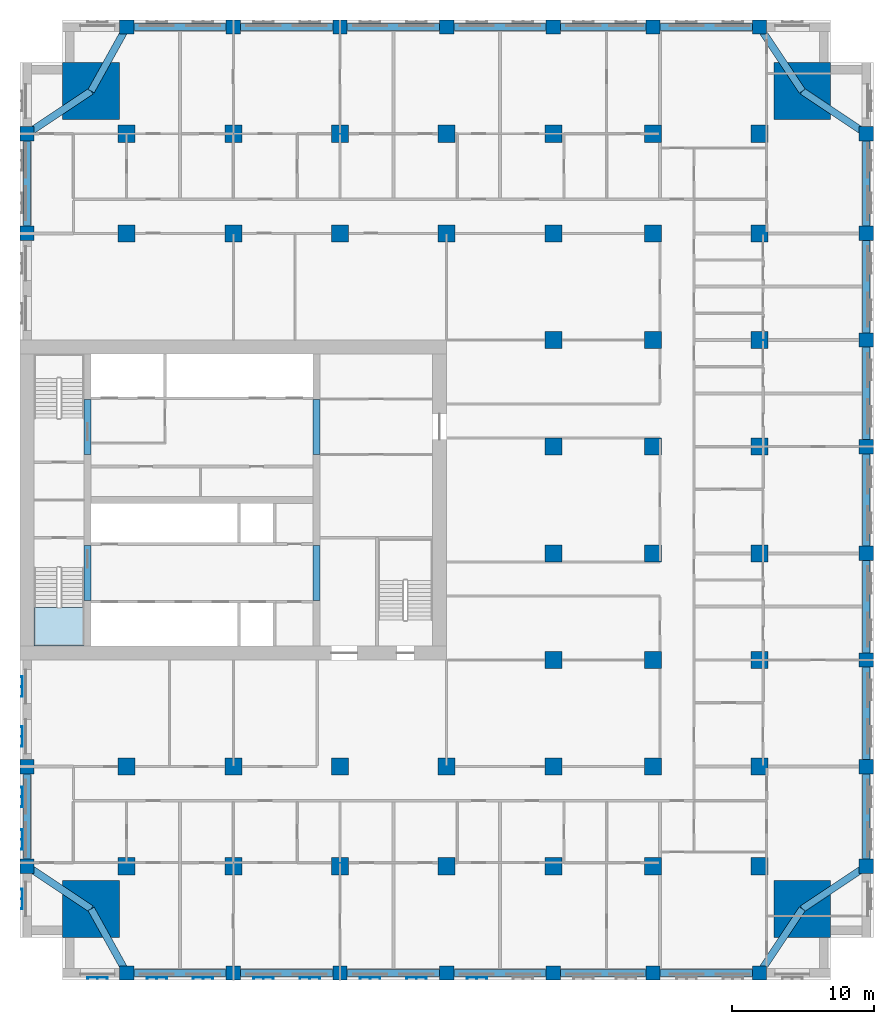
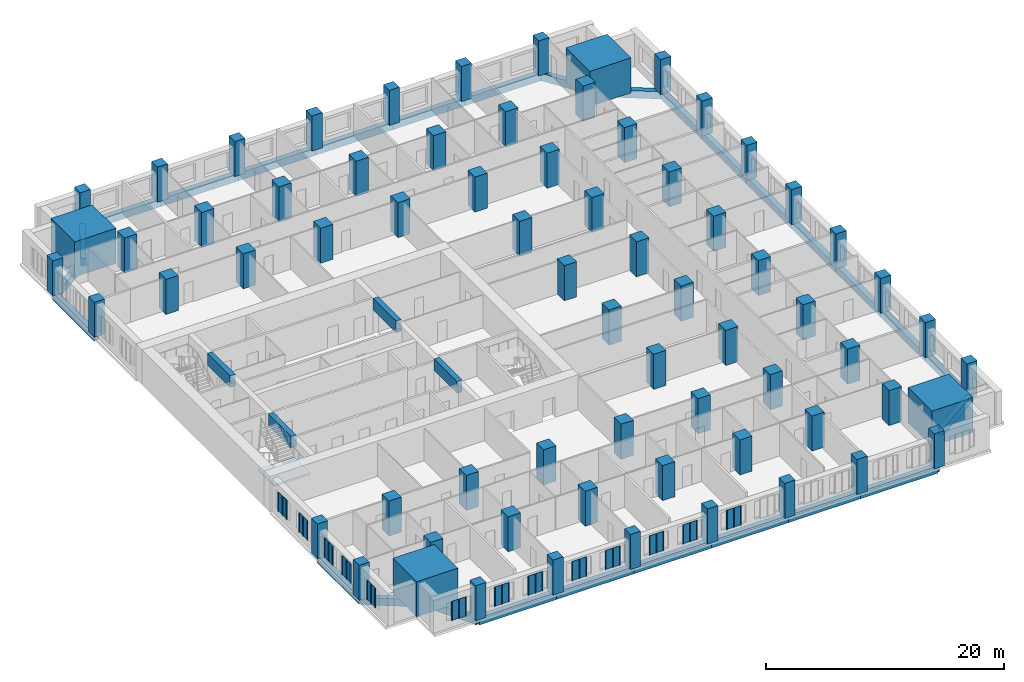
# One storey, part 1 of 14: 70 columns, 33 beams, 13 plates, 1 slab, 1 element without a shape of its own.
"""IFC4 building model written with IfcOpenShell, lengths in metres."""

from ifc_helpers import new_model, si_unit, direction, frame, origin, origin_2d, place, context, subcontext, project, spatial, polyline, rectangle, outline, extrude, material, layer, layer_set, material_profile, profile_set, type_object, element, aggregate, save


model = new_model("IFC4")

# Units and contexts
model_context = context("Model", 3, precision=1e-05, world=origin(), true_north=direction((0.0, 1.0)))
body_context = subcontext(model_context, "Body", "Model", "MODEL_VIEW")
ifc_project = project(units=[si_unit("LENGTHUNIT", "METRE"), si_unit("AREAUNIT", "SQUARE_METRE"), si_unit("VOLUMEUNIT", "CUBIC_METRE"), si_unit("PLANEANGLEUNIT", "RADIAN"), si_unit("MASSUNIT", "GRAM", prefix="KILO")], contexts=[model_context])

# Site, building, storey
site_placement = place(None, origin())
site = spatial("IfcSite", under=ifc_project, at=site_placement, CompositionType="ELEMENT")
building_placement = place(site_placement, origin())
building = spatial("IfcBuilding", under=site, at=building_placement, Name="Tamorin Gate", CompositionType="ELEMENT")
storey_placement = place(building_placement, frame((0.0, 0.0, 55.60009765625)))
storey = spatial("IfcBuildingStorey", under=building, at=storey_placement, Name="L12", CompositionType="ELEMENT", Elevation=55.60009765625)

# Columns
ifc_material_1 = material(Name="Concrete C80/95", Category="concrete")
ifc_material_profile_1 = material_profile(ifc_material_1, rectangle(XDim=1.0, YDim=1.0, at=origin_2d()), Name="RC 1000x1000")
ifc_profile_set_1 = profile_set([ifc_material_profile_1], Name="Concrete C80/95")
column_type_1 = type_object("IfcColumnType", Name="RC column 1000x1000 C80/95", PredefinedType="COLUMN", material=ifc_profile_set_1)
for number, where, z_axis, x_axis, name in (
    (1, (30.5, 45.5, 0.0), (0.0, 0.0, 1.0), (1.0, 0.0, 0.0), "Ring column L12"),
    (2, (30.5, 52.5, 0.0), (0.0, 0.0, 1.0), (1.0, 0.0, 0.0), "Ring column L12"),
    (3, (30.5, 90.0, 0.0), (0.0, 0.0, 1.0), (1.0, 0.0, 0.0), "Ring column L12"),
    (4, (30.5, 97.0, 0.0), (0.0, 0.0, 1.0), (1.0, 0.0, 0.0), "Ring column L12"),
    (5, (37.5, 38.0, 0.0), (0.0, 0.0, 1.0), (1.0, 0.0, 0.0), "Ring column L12"),
    (6, (37.5, 104.5, 0.0), (0.0, 0.0, 1.0), (1.0, 0.0, 0.0), "Ring column L12"),
    (7, (45.0, 38.0, 0.0), (0.0, 0.0, 1.0), (1.0, 0.0, 0.0), "Ring column L12"),
    (8, (45.0, 104.5, 0.0), (0.0, 0.0, 1.0), (1.0, 0.0, 0.0), "Ring column L12"),
    (9, (52.5, 38.0, 0.0), (0.0, 0.0, 1.0), (1.0, 0.0, 0.0), "Ring column L12"),
    (10, (52.5, 104.5, 0.0), (0.0, 0.0, 1.0), (1.0, 0.0, 0.0), "Ring column L12"),
    (11, (60.0, 38.0, 0.0), (0.0, 0.0, 1.0), (1.0, 0.0, 0.0), "Ring column L12"),
    (12, (60.0, 104.5, 0.0), (0.0, 0.0, 1.0), (1.0, 0.0, 0.0), "Ring column L12"),
    (13, (67.5, 38.0, 0.0), (0.0, 0.0, 1.0), (1.0, 0.0, 0.0), "Ring column L12"),
    (14, (67.5, 104.5, 0.0), (0.0, 0.0, 1.0), (1.0, 0.0, 0.0), "Ring column L12"),
    (15, (74.5, 38.0, 0.0), (0.0, 0.0, 1.0), (1.0, 0.0, 0.0), "Ring column L12"),
    (16, (74.5, 104.5, 0.0), (0.0, 0.0, 1.0), (1.0, 0.0, 0.0), "Ring column L12"),
    (17, (82.0, 38.0, 0.0), (0.0, 0.0, 1.0), (1.0, 0.0, 0.0), "Ring column L12"),
    (18, (82.0, 104.5, 0.0), (0.0, 0.0, 1.0), (1.0, 0.0, 0.0), "Ring column L12"),
    (19, (89.5, 45.5, 0.0), (0.0, 0.0, 1.0), (1.0, 0.0, 0.0), "Ring column L12"),
    (20, (89.5, 52.5, 0.0), (0.0, 0.0, 1.0), (1.0, 0.0, 0.0), "Ring column L12"),
    (21, (89.5, 60.0, 0.0), (0.0, 0.0, 1.0), (1.0, 0.0, 0.0), "Ring column L12"),
    (22, (89.5, 67.5, 0.0), (0.0, 0.0, 1.0), (1.0, 0.0, 0.0), "Ring column L12"),
    (23, (89.5, 75.0, 0.0), (0.0, 0.0, 1.0), (1.0, 0.0, 0.0), "Ring column L12"),
    (24, (89.5, 82.5, 0.0), (0.0, 0.0, 1.0), (1.0, 0.0, 0.0), "Ring column L12"),
    (25, (89.5, 90.0, 0.0), (0.0, 0.0, 1.0), (1.0, 0.0, 0.0), "Ring column L12"),
    (26, (89.5, 97.0, 0.0), (0.0, 0.0, 1.0), (1.0, 0.0, 0.0), "Ring column L12"),
):
    element("IfcColumn", number, at=place(storey_placement, frame(where, z_axis=z_axis, x_axis=x_axis)), inside=storey, type_object=column_type_1, Name=name, PredefinedType="COLUMN", context=body_context, shape_type="SweptSolid", body=[
        extrude(rectangle(XDim=1.0, YDim=1.0, at=origin_2d()), origin(), (0.0, 0.0, 1.0), 3.599853515625),
    ])
ifc_material_profile_2 = material_profile(ifc_material_1, rectangle(XDim=1.199951171875, YDim=1.199951171875, at=origin_2d()), Name="RC 1200x1200")
ifc_profile_set_2 = profile_set([ifc_material_profile_2], Name="Concrete C80/95")
column_type_2 = type_object("IfcColumnType", Name="RC column 1200x1200 C80/95", PredefinedType="COLUMN", material=ifc_profile_set_2)
for number, where, z_axis, x_axis, name in (
    (27, (37.5, 45.5, 0.0), (0.0, 0.0, 1.0), (1.0, 0.0, 0.0), "Interior column L12"),
    (28, (37.5, 52.5, 0.0), (0.0, 0.0, 1.0), (1.0, 0.0, 0.0), "Interior column L12"),
    (29, (37.5, 90.0, 0.0), (0.0, 0.0, 1.0), (1.0, 0.0, 0.0), "Interior column L12"),
    (30, (37.5, 97.0, 0.0), (0.0, 0.0, 1.0), (1.0, 0.0, 0.0), "Interior column L12"),
    (31, (45.0, 45.5, 0.0), (0.0, 0.0, 1.0), (1.0, 0.0, 0.0), "Interior column L12"),
    (32, (45.0, 52.5, 0.0), (0.0, 0.0, 1.0), (1.0, 0.0, 0.0), "Interior column L12"),
    (33, (45.0, 90.0, 0.0), (0.0, 0.0, 1.0), (1.0, 0.0, 0.0), "Interior column L12"),
    (34, (45.0, 97.0, 0.0), (0.0, 0.0, 1.0), (1.0, 0.0, 0.0), "Interior column L12"),
    (35, (52.5, 45.5, 0.0), (0.0, 0.0, 1.0), (1.0, 0.0, 0.0), "Interior column L12"),
    (36, (52.5, 52.5, 0.0), (0.0, 0.0, 1.0), (1.0, 0.0, 0.0), "Interior column L12"),
    (37, (52.5, 90.0, 0.0), (0.0, 0.0, 1.0), (1.0, 0.0, 0.0), "Interior column L12"),
    (38, (52.5, 97.0, 0.0), (0.0, 0.0, 1.0), (1.0, 0.0, 0.0), "Interior column L12"),
    (39, (60.0, 45.5, 0.0), (0.0, 0.0, 1.0), (1.0, 0.0, 0.0), "Interior column L12"),
    (40, (60.0, 52.5, 0.0), (0.0, 0.0, 1.0), (1.0, 0.0, 0.0), "Interior column L12"),
    (41, (60.0, 90.0, 0.0), (0.0, 0.0, 1.0), (1.0, 0.0, 0.0), "Interior column L12"),
    (42, (60.0, 97.0, 0.0), (0.0, 0.0, 1.0), (1.0, 0.0, 0.0), "Interior column L12"),
    (43, (67.5, 45.5, 0.0), (0.0, 0.0, 1.0), (1.0, 0.0, 0.0), "Interior column L12"),
    (44, (67.5, 52.5, 0.0), (0.0, 0.0, 1.0), (1.0, 0.0, 0.0), "Interior column L12"),
    (45, (67.5, 60.0, 0.0), (0.0, 0.0, 1.0), (1.0, 0.0, 0.0), "Interior column L12"),
    (46, (67.5, 67.5, 0.0), (0.0, 0.0, 1.0), (1.0, 0.0, 0.0), "Interior column L12"),
    (47, (67.5, 75.0, 0.0), (0.0, 0.0, 1.0), (1.0, 0.0, 0.0), "Interior column L12"),
    (48, (67.5, 82.5, 0.0), (0.0, 0.0, 1.0), (1.0, 0.0, 0.0), "Interior column L12"),
    (49, (67.5, 90.0, 0.0), (0.0, 0.0, 1.0), (1.0, 0.0, 0.0), "Interior column L12"),
    (50, (67.5, 97.0, 0.0), (0.0, 0.0, 1.0), (1.0, 0.0, 0.0), "Interior column L12"),
    (51, (74.5, 45.5, 0.0), (0.0, 0.0, 1.0), (1.0, 0.0, 0.0), "Interior column L12"),
    (52, (74.5, 52.5, 0.0), (0.0, 0.0, 1.0), (1.0, 0.0, 0.0), "Interior column L12"),
    (53, (74.5, 60.0, 0.0), (0.0, 0.0, 1.0), (1.0, 0.0, 0.0), "Interior column L12"),
    (54, (74.5, 67.5, 0.0), (0.0, 0.0, 1.0), (1.0, 0.0, 0.0), "Interior column L12"),
    (55, (74.5, 75.0, 0.0), (0.0, 0.0, 1.0), (1.0, 0.0, 0.0), "Interior column L12"),
    (56, (74.5, 82.5, 0.0), (0.0, 0.0, 1.0), (1.0, 0.0, 0.0), "Interior column L12"),
    (57, (74.5, 90.0, 0.0), (0.0, 0.0, 1.0), (1.0, 0.0, 0.0), "Interior column L12"),
    (58, (74.5, 97.0, 0.0), (0.0, 0.0, 1.0), (1.0, 0.0, 0.0), "Interior column L12"),
    (59, (82.0, 45.5, 0.0), (0.0, 0.0, 1.0), (1.0, 0.0, 0.0), "Interior column L12"),
    (60, (82.0, 52.5, 0.0), (0.0, 0.0, 1.0), (1.0, 0.0, 0.0), "Interior column L12"),
    (61, (82.0, 60.0, 0.0), (0.0, 0.0, 1.0), (1.0, 0.0, 0.0), "Interior column L12"),
    (62, (82.0, 67.5, 0.0), (0.0, 0.0, 1.0), (1.0, 0.0, 0.0), "Interior column L12"),
    (63, (82.0, 75.0, 0.0), (0.0, 0.0, 1.0), (1.0, 0.0, 0.0), "Interior column L12"),
    (64, (82.0, 82.5, 0.0), (0.0, 0.0, 1.0), (1.0, 0.0, 0.0), "Interior column L12"),
    (65, (82.0, 90.0, 0.0), (0.0, 0.0, 1.0), (1.0, 0.0, 0.0), "Interior column L12"),
    (66, (82.0, 97.0, 0.0), (0.0, 0.0, 1.0), (1.0, 0.0, 0.0), "Interior column L12"),
):
    element("IfcColumn", number, at=place(storey_placement, frame(where, z_axis=z_axis, x_axis=x_axis)), inside=storey, type_object=column_type_2, Name=name, PredefinedType="COLUMN", context=body_context, shape_type="SweptSolid", body=[
        extrude(rectangle(XDim=1.199951171875, YDim=1.199951171875, at=origin_2d()), origin(), (0.0, 0.0, 1.0), 3.599853515625),
    ])
ifc_material_profile_3 = material_profile(ifc_material_1, rectangle(XDim=4.0, YDim=4.0, at=origin_2d()), Name="RC 4000x4000")
ifc_profile_set_3 = profile_set([ifc_material_profile_3], Name="Concrete C80/95")
column_type_3 = type_object("IfcColumnType", Name="RC column 4000x4000 C80/95", PredefinedType="COLUMN", material=ifc_profile_set_3)
for number, where, z_axis, x_axis, name in (
    (67, (35.0, 42.5, 0.0), (0.0, 0.0, 1.0), (1.0, 0.0, 0.0), "Mega column SW L12"),
    (68, (85.0, 42.5, 0.0), (0.0, 0.0, 1.0), (1.0, 0.0, 0.0), "Mega column SE L12"),
    (69, (35.0, 100.0, 0.0), (0.0, 0.0, 1.0), (1.0, 0.0, 0.0), "Mega column NW L12"),
    (70, (85.0, 100.0, 0.0), (0.0, 0.0, 1.0), (1.0, 0.0, 0.0), "Mega column NE L12"),
):
    element("IfcColumn", number, at=place(storey_placement, frame(where, z_axis=z_axis, x_axis=x_axis)), inside=storey, type_object=column_type_3, Name=name, PredefinedType="COLUMN", context=body_context, shape_type="SweptSolid", body=[
        extrude(rectangle(XDim=4.0, YDim=4.0, at=origin_2d()), origin(), (0.0, 0.0, 1.0), 3.599853515625),
    ])

# Beams
ifc_material_profile_4 = material_profile(ifc_material_1, rectangle(XDim=0.5, YDim=1.199951171875, at=origin_2d()), Name="RC 500x1200")
ifc_profile_set_4 = profile_set([ifc_material_profile_4], Name="Concrete C80/95")
beam_type_1 = type_object("IfcBeamType", Name="RC coupling beam 500x1200 C80/95", PredefinedType="BEAM", material=ifc_profile_set_4)
for number, where, z_axis, x_axis, name in (
    (71, (34.75, 64.199951171875, 3.0), (0.0, 1.0, 0.0), (-1.0, 0.0, 0.0), "Coupling beam L12"),
    (72, (34.75, 74.449951171875, 3.0), (0.0, 1.0, 0.0), (-1.0, 0.0, 0.0), "Coupling beam L12"),
    (73, (50.85009765625, 64.199951171875, 3.0), (0.0, 1.0, 0.0), (-1.0, 0.0, 0.0), "Coupling beam L12"),
    (74, (50.85009765625, 74.449951171875, 3.0), (0.0, 1.0, 0.0), (-1.0, 0.0, 0.0), "Coupling beam L12"),
):
    element("IfcBeam", number, at=place(storey_placement, frame(where, z_axis=z_axis, x_axis=x_axis)), inside=storey, type_object=beam_type_1, Name=name, PredefinedType="BEAM", context=body_context, shape_type="SweptSolid", body=[
        extrude(rectangle(XDim=0.5, YDim=1.199951171875, at=origin_2d()), origin(), (0.0, 0.0, 1.0), 3.85009765625),
    ])
ifc_material_2 = material(Name="Concrete C50/60", Category="concrete")
ifc_material_profile_5 = material_profile(ifc_material_2, rectangle(XDim=0.5, YDim=0.75, at=origin_2d()), Name="RC 500x750")
ifc_profile_set_5 = profile_set([ifc_material_profile_5], Name="Concrete C50/60")
beam_type_2 = type_object("IfcBeamType", Name="RC spandrel 500x750 C50/60", PredefinedType="BEAM", material=ifc_profile_set_5)
for number, where, z_axis, x_axis, name in (
    (75, (37.5, 38.0, -0.375), (1.0, 0.0, 0.0), (0.0, 1.0, 0.0), "Spandrel beam L12"),
    (76, (45.0, 38.0, -0.375), (1.0, 0.0, 0.0), (0.0, 1.0, 0.0), "Spandrel beam L12"),
    (77, (52.5, 38.0, -0.375), (1.0, 0.0, 0.0), (0.0, 1.0, 0.0), "Spandrel beam L12"),
    (78, (60.0, 38.0, -0.375), (1.0, 0.0, 0.0), (0.0, 1.0, 0.0), "Spandrel beam L12"),
):
    element("IfcBeam", number, at=place(storey_placement, frame(where, z_axis=z_axis, x_axis=x_axis)), inside=storey, type_object=beam_type_2, Name=name, PredefinedType="BEAM", context=body_context, shape_type="SweptSolid", body=[
        extrude(rectangle(XDim=0.5, YDim=0.75, at=origin_2d()), origin(), (0.0, 0.0, 1.0), 7.5),
    ])
beam_1_placement = place(storey_placement, frame((67.5, 38.0, -0.375), z_axis=(1.0, 0.0, 0.0), x_axis=(0.0, 1.0, 0.0)))
element("IfcBeam", 79, at=beam_1_placement, inside=storey, type_object=beam_type_2, Name="Spandrel beam L12", PredefinedType="BEAM", context=body_context, shape_type="SweptSolid", body=[
    extrude(rectangle(XDim=0.5, YDim=0.75, at=origin_2d()), origin(), (0.0, 0.0, 1.0), 7.0),
])
beam_2_placement = place(storey_placement, frame((74.5, 38.0, -0.375), z_axis=(1.0, 0.0, 0.0), x_axis=(0.0, 1.0, 0.0)))
element("IfcBeam", 80, at=beam_2_placement, inside=storey, type_object=beam_type_2, Name="Spandrel beam L12", PredefinedType="BEAM", context=body_context, shape_type="SweptSolid", body=[
    extrude(rectangle(XDim=0.5, YDim=0.75, at=origin_2d()), origin(), (0.0, 0.0, 1.0), 7.5),
])
beam_3_placement = place(storey_placement, frame((89.5, 45.5, -0.375), z_axis=(0.0, 1.0, 0.0), x_axis=(-1.0, 0.0, 0.0)))
element("IfcBeam", 81, at=beam_3_placement, inside=storey, type_object=beam_type_2, Name="Spandrel beam L12", PredefinedType="BEAM", context=body_context, shape_type="SweptSolid", body=[
    extrude(rectangle(XDim=0.5, YDim=0.75, at=origin_2d()), origin(), (0.0, 0.0, 1.0), 7.0),
])
for number, where, z_axis, x_axis, name in (
    (82, (89.5, 52.5, -0.375), (0.0, 1.0, 0.0), (-1.0, 0.0, 0.0), "Spandrel beam L12"),
    (83, (89.5, 60.0, -0.375), (0.0, 1.0, 0.0), (-1.0, 0.0, 0.0), "Spandrel beam L12"),
    (84, (89.5, 67.5, -0.375), (0.0, 1.0, 0.0), (-1.0, 0.0, 0.0), "Spandrel beam L12"),
    (85, (89.5, 75.0, -0.375), (0.0, 1.0, 0.0), (-1.0, 0.0, 0.0), "Spandrel beam L12"),
    (86, (89.5, 82.5, -0.375), (0.0, 1.0, 0.0), (-1.0, 0.0, 0.0), "Spandrel beam L12"),
):
    element("IfcBeam", number, at=place(storey_placement, frame(where, z_axis=z_axis, x_axis=x_axis)), inside=storey, type_object=beam_type_2, Name=name, PredefinedType="BEAM", context=body_context, shape_type="SweptSolid", body=[
        extrude(rectangle(XDim=0.5, YDim=0.75, at=origin_2d()), origin(), (0.0, 0.0, 1.0), 7.5),
    ])
beam_4_placement = place(storey_placement, frame((89.5, 90.0, -0.375), z_axis=(0.0, 1.0, 0.0), x_axis=(-1.0, 0.0, 0.0)))
element("IfcBeam", 87, at=beam_4_placement, inside=storey, type_object=beam_type_2, Name="Spandrel beam L12", PredefinedType="BEAM", context=body_context, shape_type="SweptSolid", body=[
    extrude(rectangle(XDim=0.5, YDim=0.75, at=origin_2d()), origin(), (0.0, 0.0, 1.0), 7.0),
])
beam_5_placement = place(storey_placement, frame((82.0, 104.5, -0.375), z_axis=(-1.0, 0.0, 0.0), x_axis=(0.0, -1.0, 0.0)))
element("IfcBeam", 88, at=beam_5_placement, inside=storey, type_object=beam_type_2, Name="Spandrel beam L12", PredefinedType="BEAM", context=body_context, shape_type="SweptSolid", body=[
    extrude(rectangle(XDim=0.5, YDim=0.75, at=origin_2d()), origin(), (0.0, 0.0, 1.0), 7.5),
])
beam_6_placement = place(storey_placement, frame((74.5, 104.5, -0.375), z_axis=(-1.0, 0.0, 0.0), x_axis=(0.0, -1.0, 0.0)))
element("IfcBeam", 89, at=beam_6_placement, inside=storey, type_object=beam_type_2, Name="Spandrel beam L12", PredefinedType="BEAM", context=body_context, shape_type="SweptSolid", body=[
    extrude(rectangle(XDim=0.5, YDim=0.75, at=origin_2d()), origin(), (0.0, 0.0, 1.0), 7.0),
])
for number, where, z_axis, x_axis, name in (
    (90, (67.5, 104.5, -0.375), (-1.0, 0.0, 0.0), (0.0, -1.0, 0.0), "Spandrel beam L12"),
    (91, (60.0, 104.5, -0.375), (-1.0, 0.0, 0.0), (0.0, -1.0, 0.0), "Spandrel beam L12"),
    (92, (52.5, 104.5, -0.375), (-1.0, 0.0, 0.0), (0.0, -1.0, 0.0), "Spandrel beam L12"),
    (93, (45.0, 104.5, -0.375), (-1.0, 0.0, 0.0), (0.0, -1.0, 0.0), "Spandrel beam L12"),
):
    element("IfcBeam", number, at=place(storey_placement, frame(where, z_axis=z_axis, x_axis=x_axis)), inside=storey, type_object=beam_type_2, Name=name, PredefinedType="BEAM", context=body_context, shape_type="SweptSolid", body=[
        extrude(rectangle(XDim=0.5, YDim=0.75, at=origin_2d()), origin(), (0.0, 0.0, 1.0), 7.5),
    ])
for number, where, z_axis, x_axis, name in (
    (94, (30.5, 97.0, -0.375), (0.0, -1.0, 0.0), (1.0, 0.0, 0.0), "Spandrel beam L12"),
    (95, (30.5, 52.5, -0.375), (0.0, -1.0, 0.0), (1.0, 0.0, 0.0), "Spandrel beam L12"),
):
    element("IfcBeam", number, at=place(storey_placement, frame(where, z_axis=z_axis, x_axis=x_axis)), inside=storey, type_object=beam_type_2, Name=name, PredefinedType="BEAM", context=body_context, shape_type="SweptSolid", body=[
        extrude(rectangle(XDim=0.5, YDim=0.75, at=origin_2d()), origin(), (0.0, 0.0, 1.0), 7.0),
    ])
beam_7_placement = place(storey_placement, frame((35.0, 42.5, -0.375), z_axis=(0.485642931179, -0.874157276122, 0.0), x_axis=(0.874157276122, 0.485642931179, 0.0)))
element("IfcBeam", 96, at=beam_7_placement, inside=storey, type_object=beam_type_2, Name="Corner tie beam L12", PredefinedType="BEAM", context=body_context, shape_type="SweptSolid", body=[
    extrude(rectangle(XDim=0.5, YDim=0.75, at=origin_2d()), origin(), (0.0, 0.0, 1.0), 5.147705078125),
])
for number, where, z_axis, x_axis, name in (
    (97, (35.0, 42.5, -0.375), (-0.832050294338, 0.554700196225, 0.0), (-0.554700196225, -0.832050294338, 0.0), "Corner tie beam L12"),
    (98, (85.0, 42.5, -0.375), (-0.554700196225, -0.832050294338, 0.0), (0.832050294338, -0.554700196225, 0.0), "Corner tie beam L12"),
    (99, (85.0, 42.5, -0.375), (0.832050294338, 0.554700196225, 0.0), (-0.554700196225, 0.832050294338, 0.0), "Corner tie beam L12"),
):
    element("IfcBeam", number, at=place(storey_placement, frame(where, z_axis=z_axis, x_axis=x_axis)), inside=storey, type_object=beam_type_2, Name=name, PredefinedType="BEAM", context=body_context, shape_type="SweptSolid", body=[
        extrude(rectangle(XDim=0.5, YDim=0.75, at=origin_2d()), origin(), (0.0, 0.0, 1.0), 5.408447265625),
    ])
beam_8_placement = place(storey_placement, frame((35.0, 100.0, -0.375), z_axis=(0.485642931179, 0.874157276122, 0.0), x_axis=(-0.874157276122, 0.485642931179, 0.0)))
element("IfcBeam", 100, at=beam_8_placement, inside=storey, type_object=beam_type_2, Name="Corner tie beam L12", PredefinedType="BEAM", context=body_context, shape_type="SweptSolid", body=[
    extrude(rectangle(XDim=0.5, YDim=0.75, at=origin_2d()), origin(), (0.0, 0.0, 1.0), 5.147705078125),
])
for number, where, z_axis, x_axis, name in (
    (101, (35.0, 100.0, -0.375), (-0.832050294338, -0.554700196225, 0.0), (0.554700196225, -0.832050294338, 0.0), "Corner tie beam L12"),
    (102, (85.0, 100.0, -0.375), (-0.554700196225, 0.832050294338, 0.0), (-0.832050294338, -0.554700196225, 0.0), "Corner tie beam L12"),
    (103, (85.0, 100.0, -0.375), (0.832050294338, -0.554700196225, 0.0), (0.554700196225, 0.832050294338, 0.0), "Corner tie beam L12"),
):
    element("IfcBeam", number, at=place(storey_placement, frame(where, z_axis=z_axis, x_axis=x_axis)), inside=storey, type_object=beam_type_2, Name=name, PredefinedType="BEAM", context=body_context, shape_type="SweptSolid", body=[
        extrude(rectangle(XDim=0.5, YDim=0.75, at=origin_2d()), origin(), (0.0, 0.0, 1.0), 5.408447265625),
    ])

# Stair, slab
ifc_material_3 = material(Name="Concrete C40/50", Category="concrete")
stair_type = type_object("IfcStairType", Name="Exit stair", PredefinedType="HALF_TURN_STAIR", material=ifc_material_3)
stair_placement = place(storey_placement, origin())
stair = element("IfcStair", 104, at=stair_placement, inside=storey, type_object=stair_type, Name="L12 stair ST1", PredefinedType="HALF_TURN_STAIR")
ifc_layer_1 = layer(ifc_material_3, 0.199951171875)
ifc_layer_set_1 = layer_set([ifc_layer_1], Name="Exit stair landing 200")
slab_type = type_object("IfcSlabType", Name="Exit stair landing 200", PredefinedType="LANDING", material=ifc_layer_set_1)
slab_placement = place(storey_placement, frame((0.0, 0.0, 1.599853515625)))
slab = element("IfcSlab", 105, at=slab_placement, type_object=slab_type, Name="ST1 landing 1", PredefinedType="LANDING", context=body_context, shape_type="SweptSolid", body=[
    extrude(outline(polyline([(31.0, 63.699951171875), (31.0, 61.0), (34.5, 61.0), (34.5, 63.699951171875), (31.0, 63.699951171875)])), origin(), (0.0, 0.0, 1.0), 0.199951171875),
])
aggregate(stair, [slab])

# Plates
ifc_material_4 = material(Name="Perforated pale aluminium sheet", Category="aluminium")
ifc_layer_2 = layer(ifc_material_4, 0.0400390625)
ifc_layer_set_2 = layer_set([ifc_layer_2], Name="Pale metal solar screen 1440")
plate_type = type_object("IfcPlateType", Name="Pale metal solar screen 1440", PredefinedType="SHEET", material=ifc_layer_set_2)
plate_1_placement = place(storey_placement, frame((0.0, 0.0, 0.7099609375)))
element("IfcPlate", 106, at=plate_1_placement, inside=storey, type_object=plate_type, Name="Perforated solar screen", PredefinedType="SHEET", context=body_context, shape_type="SweptSolid", body=[
    extrude(outline(polyline([(34.72998046875, 37.659912109375), (34.72998046875, 37.699951171875), (34.7900390625, 37.699951171875), (35.419921875, 37.699951171875), (35.47998046875, 37.699951171875), (36.110107421875, 37.699951171875), (36.169921875, 37.699951171875), (36.169921875, 37.659912109375), (36.169921875, 37.60009765625), (36.110107421875, 37.60009765625), (36.110107421875, 37.659912109375), (35.47998046875, 37.659912109375), (35.47998046875, 37.60009765625), (35.419921875, 37.60009765625), (35.419921875, 37.659912109375), (34.7900390625, 37.659912109375), (34.7900390625, 37.60009765625), (34.72998046875, 37.60009765625), (34.72998046875, 37.659912109375)])), origin(), (0.0, 0.0, 1.0), 1.97998046875),
])
plate_2_placement = place(storey_placement, frame((0.0, 0.0, 0.7099609375)))
element("IfcPlate", 107, at=plate_2_placement, inside=storey, type_object=plate_type, Name="Perforated solar screen", PredefinedType="SHEET", context=body_context, shape_type="SweptSolid", body=[
    extrude(outline(polyline([(38.905029296875, 37.659912109375), (38.905029296875, 37.699951171875), (38.965087890625, 37.699951171875), (39.594970703125, 37.699951171875), (39.655029296875, 37.699951171875), (40.284912109375, 37.699951171875), (40.344970703125, 37.699951171875), (40.344970703125, 37.699951171875), (40.344970703125, 37.659912109375), (40.344970703125, 37.659912109375), (40.344970703125, 37.60009765625), (40.284912109375, 37.60009765625), (40.284912109375, 37.659912109375), (39.655029296875, 37.659912109375), (39.655029296875, 37.60009765625), (39.594970703125, 37.60009765625), (39.594970703125, 37.659912109375), (38.965087890625, 37.659912109375), (38.965087890625, 37.60009765625), (38.905029296875, 37.60009765625), (38.905029296875, 37.659912109375)])), origin(), (0.0, 0.0, 1.0), 1.97998046875),
])
plate_3_placement = place(storey_placement, frame((0.0, 0.0, 0.7099609375)))
element("IfcPlate", 108, at=plate_3_placement, inside=storey, type_object=plate_type, Name="Perforated solar screen", PredefinedType="SHEET", context=body_context, shape_type="SweptSolid", body=[
    extrude(outline(polyline([(42.155029296875, 37.659912109375), (42.155029296875, 37.699951171875), (42.215087890625, 37.699951171875), (42.844970703125, 37.699951171875), (42.905029296875, 37.699951171875), (43.534912109375, 37.699951171875), (43.594970703125, 37.699951171875), (43.594970703125, 37.659912109375), (43.594970703125, 37.60009765625), (43.534912109375, 37.60009765625), (43.534912109375, 37.659912109375), (42.905029296875, 37.659912109375), (42.905029296875, 37.60009765625), (42.844970703125, 37.60009765625), (42.844970703125, 37.659912109375), (42.215087890625, 37.659912109375), (42.215087890625, 37.60009765625), (42.155029296875, 37.60009765625), (42.155029296875, 37.659912109375)])), origin(), (0.0, 0.0, 1.0), 1.97998046875),
])
plate_4_placement = place(storey_placement, frame((0.0, 0.0, 0.7099609375)))
element("IfcPlate", 109, at=plate_4_placement, inside=storey, type_object=plate_type, Name="Perforated solar screen", PredefinedType="SHEET", context=body_context, shape_type="SweptSolid", body=[
    extrude(outline(polyline([(46.405029296875, 37.659912109375), (46.405029296875, 37.699951171875), (46.465087890625, 37.699951171875), (47.094970703125, 37.699951171875), (47.155029296875, 37.699951171875), (47.784912109375, 37.699951171875), (47.844970703125, 37.699951171875), (47.844970703125, 37.659912109375), (47.844970703125, 37.60009765625), (47.784912109375, 37.60009765625), (47.784912109375, 37.659912109375), (47.155029296875, 37.659912109375), (47.155029296875, 37.60009765625), (47.094970703125, 37.60009765625), (47.094970703125, 37.659912109375), (46.465087890625, 37.659912109375), (46.465087890625, 37.60009765625), (46.405029296875, 37.60009765625), (46.405029296875, 37.659912109375)])), origin(), (0.0, 0.0, 1.0), 1.97998046875),
])
plate_5_placement = place(storey_placement, frame((0.0, 0.0, 0.7099609375)))
element("IfcPlate", 110, at=plate_5_placement, inside=storey, type_object=plate_type, Name="Perforated solar screen", PredefinedType="SHEET", context=body_context, shape_type="SweptSolid", body=[
    extrude(outline(polyline([(49.655029296875, 37.659912109375), (49.655029296875, 37.699951171875), (49.715087890625, 37.699951171875), (50.344970703125, 37.699951171875), (50.405029296875, 37.699951171875), (51.034912109375, 37.699951171875), (51.094970703125, 37.699951171875), (51.094970703125, 37.659912109375), (51.094970703125, 37.60009765625), (51.034912109375, 37.60009765625), (51.034912109375, 37.659912109375), (50.405029296875, 37.659912109375), (50.405029296875, 37.60009765625), (50.344970703125, 37.60009765625), (50.344970703125, 37.659912109375), (49.715087890625, 37.659912109375), (49.715087890625, 37.60009765625), (49.655029296875, 37.60009765625), (49.655029296875, 37.659912109375)])), origin(), (0.0, 0.0, 1.0), 1.97998046875),
])
plate_6_placement = place(storey_placement, frame((0.0, 0.0, 0.7099609375)))
element("IfcPlate", 111, at=plate_6_placement, inside=storey, type_object=plate_type, Name="Perforated solar screen", PredefinedType="SHEET", context=body_context, shape_type="SweptSolid", body=[
    extrude(outline(polyline([(53.905029296875, 37.659912109375), (53.905029296875, 37.699951171875), (53.965087890625, 37.699951171875), (54.594970703125, 37.699951171875), (54.655029296875, 37.699951171875), (55.284912109375, 37.699951171875), (55.344970703125, 37.699951171875), (55.344970703125, 37.659912109375), (55.344970703125, 37.60009765625), (55.284912109375, 37.60009765625), (55.284912109375, 37.659912109375), (54.655029296875, 37.659912109375), (54.655029296875, 37.60009765625), (54.594970703125, 37.60009765625), (54.594970703125, 37.659912109375), (53.965087890625, 37.659912109375), (53.965087890625, 37.60009765625), (53.905029296875, 37.60009765625), (53.905029296875, 37.659912109375)])), origin(), (0.0, 0.0, 1.0), 1.97998046875),
])
plate_7_placement = place(storey_placement, frame((0.0, 0.0, 0.7099609375)))
element("IfcPlate", 112, at=plate_7_placement, inside=storey, type_object=plate_type, Name="Perforated solar screen", PredefinedType="SHEET", context=body_context, shape_type="SweptSolid", body=[
    extrude(outline(polyline([(57.155029296875, 37.659912109375), (57.155029296875, 37.699951171875), (57.215087890625, 37.699951171875), (57.844970703125, 37.699951171875), (57.905029296875, 37.699951171875), (58.534912109375, 37.699951171875), (58.594970703125, 37.699951171875), (58.594970703125, 37.659912109375), (58.594970703125, 37.60009765625), (58.534912109375, 37.60009765625), (58.534912109375, 37.659912109375), (57.905029296875, 37.659912109375), (57.905029296875, 37.60009765625), (57.844970703125, 37.60009765625), (57.844970703125, 37.659912109375), (57.215087890625, 37.659912109375), (57.215087890625, 37.60009765625), (57.155029296875, 37.60009765625), (57.155029296875, 37.659912109375)])), origin(), (0.0, 0.0, 1.0), 1.97998046875),
])
plate_8_placement = place(storey_placement, frame((0.0, 0.0, 0.7099609375)))
element("IfcPlate", 113, at=plate_8_placement, inside=storey, type_object=plate_type, Name="Perforated solar screen", PredefinedType="SHEET", context=body_context, shape_type="SweptSolid", body=[
    extrude(outline(polyline([(61.405029296875, 37.659912109375), (61.405029296875, 37.699951171875), (61.465087890625, 37.699951171875), (62.094970703125, 37.699951171875), (62.155029296875, 37.699951171875), (62.784912109375, 37.699951171875), (62.844970703125, 37.699951171875), (62.844970703125, 37.659912109375), (62.844970703125, 37.60009765625), (62.784912109375, 37.60009765625), (62.784912109375, 37.659912109375), (62.155029296875, 37.659912109375), (62.155029296875, 37.60009765625), (62.094970703125, 37.60009765625), (62.094970703125, 37.659912109375), (61.465087890625, 37.659912109375), (61.465087890625, 37.60009765625), (61.405029296875, 37.60009765625), (61.405029296875, 37.659912109375)])), origin(), (0.0, 0.0, 1.0), 1.97998046875),
])
plate_9_placement = place(storey_placement, frame((0.0, 0.0, 0.7099609375)))
element("IfcPlate", 114, at=plate_9_placement, inside=storey, type_object=plate_type, Name="Perforated solar screen", PredefinedType="SHEET", context=body_context, shape_type="SweptSolid", body=[
    extrude(outline(polyline([(30.159912109375, 55.344970703125), (30.199951171875, 55.344970703125), (30.199951171875, 55.284912109375), (30.199951171875, 54.655029296875), (30.199951171875, 54.594970703125), (30.199951171875, 53.965087890625), (30.199951171875, 53.905029296875), (30.159912109375, 53.905029296875), (30.10009765625, 53.905029296875), (30.10009765625, 53.965087890625), (30.159912109375, 53.965087890625), (30.159912109375, 54.594970703125), (30.10009765625, 54.594970703125), (30.10009765625, 54.655029296875), (30.159912109375, 54.655029296875), (30.159912109375, 55.284912109375), (30.10009765625, 55.284912109375), (30.10009765625, 55.344970703125), (30.159912109375, 55.344970703125)])), origin(), (0.0, 0.0, 1.0), 1.97998046875),
])
plate_10_placement = place(storey_placement, frame((0.0, 0.0, 0.7099609375)))
element("IfcPlate", 115, at=plate_10_placement, inside=storey, type_object=plate_type, Name="Perforated solar screen", PredefinedType="SHEET", context=body_context, shape_type="SweptSolid", body=[
    extrude(outline(polyline([(30.159912109375, 58.844970703125), (30.199951171875, 58.844970703125), (30.199951171875, 58.784912109375), (30.199951171875, 58.155029296875), (30.199951171875, 58.094970703125), (30.199951171875, 57.465087890625), (30.199951171875, 57.405029296875), (30.159912109375, 57.405029296875), (30.10009765625, 57.405029296875), (30.10009765625, 57.465087890625), (30.159912109375, 57.465087890625), (30.159912109375, 58.094970703125), (30.10009765625, 58.094970703125), (30.10009765625, 58.155029296875), (30.159912109375, 58.155029296875), (30.159912109375, 58.784912109375), (30.10009765625, 58.784912109375), (30.10009765625, 58.844970703125), (30.159912109375, 58.844970703125)])), origin(), (0.0, 0.0, 1.0), 1.97998046875),
])
plate_11_placement = place(storey_placement, frame((0.0, 0.0, 0.7099609375)))
element("IfcPlate", 116, at=plate_11_placement, inside=storey, type_object=plate_type, Name="Perforated solar screen", PredefinedType="SHEET", context=body_context, shape_type="SweptSolid", body=[
    extrude(outline(polyline([(30.159912109375, 48.094970703125), (30.199951171875, 48.094970703125), (30.199951171875, 48.034912109375), (30.199951171875, 47.405029296875), (30.199951171875, 47.344970703125), (30.199951171875, 46.715087890625), (30.199951171875, 46.655029296875), (30.159912109375, 46.655029296875), (30.10009765625, 46.655029296875), (30.10009765625, 46.715087890625), (30.159912109375, 46.715087890625), (30.159912109375, 47.344970703125), (30.10009765625, 47.344970703125), (30.10009765625, 47.405029296875), (30.159912109375, 47.405029296875), (30.159912109375, 48.034912109375), (30.10009765625, 48.034912109375), (30.10009765625, 48.094970703125), (30.159912109375, 48.094970703125)])), origin(), (0.0, 0.0, 1.0), 1.97998046875),
])
plate_12_placement = place(storey_placement, frame((0.0, 0.0, 0.7099609375)))
element("IfcPlate", 117, at=plate_12_placement, inside=storey, type_object=plate_type, Name="Perforated solar screen", PredefinedType="SHEET", context=body_context, shape_type="SweptSolid", body=[
    extrude(outline(polyline([(30.159912109375, 51.094970703125), (30.199951171875, 51.094970703125), (30.199951171875, 51.034912109375), (30.199951171875, 50.405029296875), (30.199951171875, 50.344970703125), (30.199951171875, 49.715087890625), (30.199951171875, 49.655029296875), (30.159912109375, 49.655029296875), (30.10009765625, 49.655029296875), (30.10009765625, 49.715087890625), (30.159912109375, 49.715087890625), (30.159912109375, 50.344970703125), (30.10009765625, 50.344970703125), (30.10009765625, 50.405029296875), (30.159912109375, 50.405029296875), (30.159912109375, 51.034912109375), (30.10009765625, 51.034912109375), (30.10009765625, 51.094970703125), (30.159912109375, 51.094970703125)])), origin(), (0.0, 0.0, 1.0), 1.97998046875),
])
plate_13_placement = place(storey_placement, frame((0.0, 0.0, 0.7099609375)))
element("IfcPlate", 118, at=plate_13_placement, inside=storey, type_object=plate_type, Name="Perforated solar screen", PredefinedType="SHEET", context=body_context, shape_type="SweptSolid", body=[
    extrude(outline(polyline([(30.159912109375, 43.919921875), (30.199951171875, 43.919921875), (30.199951171875, 43.860107421875), (30.199951171875, 43.22998046875), (30.199951171875, 43.169921875), (30.199951171875, 42.5400390625), (30.199951171875, 42.47998046875), (30.159912109375, 42.47998046875), (30.10009765625, 42.47998046875), (30.10009765625, 42.5400390625), (30.159912109375, 42.5400390625), (30.159912109375, 43.169921875), (30.10009765625, 43.169921875), (30.10009765625, 43.22998046875), (30.159912109375, 43.22998046875), (30.159912109375, 43.860107421875), (30.10009765625, 43.860107421875), (30.10009765625, 43.919921875), (30.159912109375, 43.919921875)])), origin(), (0.0, 0.0, 1.0), 1.97998046875),
])

save(model, "model.ifc")
